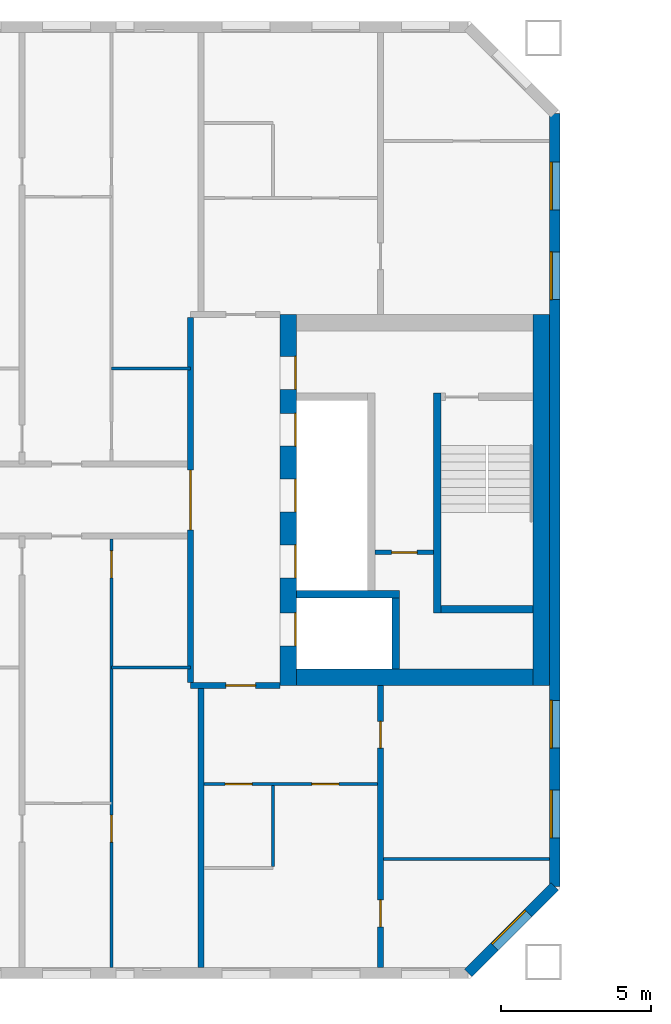
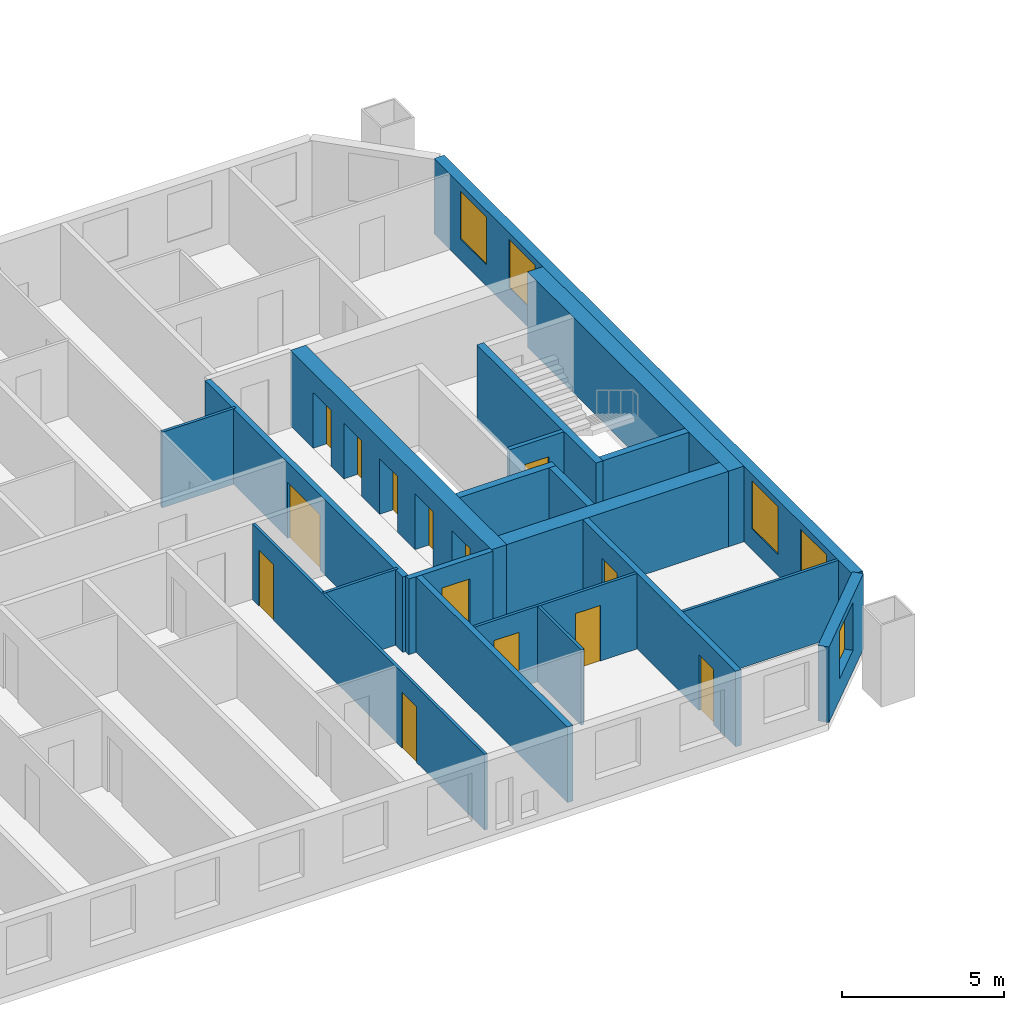
# One storey, part 7 of 16: 20 walls, 14 doors, 5 windows, 19 openings.
"""IFC4 building model written with IfcOpenShell, lengths in metres."""

from ifc_helpers import new_model, si_unit, direction, frame, frame_2d, origin, place, context, subcontext, project, spatial, rectangle, extrude, material, layer, layer_set, type_object, element, fill, save


model = new_model("IFC4")

# Units and contexts
model_context = context("Model", 3, precision=1e-05, world=origin(), true_north=direction((0.0, 1.0)))
body_context = subcontext(model_context, "Body", "Model", "MODEL_VIEW")
ifc_project = project(units=[si_unit("LENGTHUNIT", "METRE"), si_unit("AREAUNIT", "SQUARE_METRE"), si_unit("VOLUMEUNIT", "CUBIC_METRE"), si_unit("PLANEANGLEUNIT", "RADIAN"), si_unit("MASSUNIT", "GRAM", prefix="KILO")], contexts=[model_context])

# Site, building, storey
site_placement = place(None, origin())
site = spatial("IfcSite", under=ifc_project, at=site_placement, CompositionType="ELEMENT")
building_placement = place(site_placement, origin())
building = spatial("IfcBuilding", under=site, at=building_placement, Name="Tuart Gate Housing", CompositionType="ELEMENT")
storey_placement = place(building_placement, frame((0.0, 0.0, 129.89990234375)))
storey = spatial("IfcBuildingStorey", under=building, at=storey_placement, Name="L36", CompositionType="ELEMENT", Elevation=129.89990234375)

# Wall, opening, window
ifc_material_1 = material(Name="Brick", Category="masonry")
ifc_layer_1 = layer(ifc_material_1, 0.360107421875)
ifc_layer_set_1 = layer_set([ifc_layer_1], Name="Brick pier and spandrel wall 360")
wall_type_1 = type_object("IfcWallType", Name="Brick pier and spandrel wall 360", PredefinedType="STANDARD", material=ifc_layer_set_1)
wall_1_placement = place(storey_placement, frame((72.92529296875, 54.179931640625, 0.0), z_axis=(0.0, 0.0, 1.0), x_axis=(0.707106781187, 0.707106781187, 0.0)))
wall_1 = element("IfcWall", 1, at=wall_1_placement, inside=storey, type_object=wall_type_1, Name="External wall A-SE L36", PredefinedType="STANDARD", context=body_context, shape_type="SweptSolid", body=[
    extrude(rectangle(XDim=4.09375, YDim=0.360107421875, at=frame_2d((2.046875, 0.0))), origin(), (0.0, 0.0, 1.0), 2.85009765625),
])
opening_1_placement = place(wall_1_placement, frame((1.2470703125, 0.0, 0.800048828125)))
opening_1 = element("IfcOpeningElement", 2, at=opening_1_placement, cuts=wall_1, Name="Opening W1", PredefinedType="OPENING", context=body_context, shape_type="SweptSolid", body=[
    extrude(rectangle(XDim=1.60009765625, YDim=1.800048828125, at=frame_2d((0.800048828125, 0.89990234375))), frame((0.0, 0.18994140625, 0.0), z_axis=(0.0, -1.0, 0.0), x_axis=(1.0, 0.0, 0.0)), (0.0, 0.0, 1.0), 0.380126953125),
])
ifc_material_2 = material(Name="Aluminium frame with clear glass", Category="aluminium")
window_type = type_object("IfcWindowType", Name="Punched window 1600 x 1800", PartitioningType="SINGLE_PANEL", PredefinedType="WINDOW", material=ifc_material_2)
window_1_placement = place(opening_1_placement, origin())
window_1 = element("IfcWindow", 3, at=window_1_placement, inside=storey, type_object=window_type, Name="Window W1", OverallHeight=1.800048828125, OverallWidth=1.60009765625, PartitioningType="SINGLE_PANEL", PredefinedType="WINDOW", context=body_context, shape_type="SweptSolid", body=[
    extrude(rectangle(XDim=1.60009765625, YDim=1.800048828125, at=frame_2d((0.800048828125, 0.89990234375))), frame((0.0, 0.150146484375, 0.0), z_axis=(0.0, -1.0, 0.0), x_axis=(1.0, 0.0, 0.0)), (0.0, 0.0, 1.0), 0.06005859375),
])
fill(opening_1, window_1)

# Wall, openings, windows
wall_2_placement = place(storey_placement, frame((75.820068359375, 57.07470703125, 0.0), z_axis=(0.0, 0.0, 1.0), x_axis=(0.0, 1.0, 0.0)))
wall_2 = element("IfcWall", 4, at=wall_2_placement, inside=storey, type_object=wall_type_1, Name="External wall A-E L36", PredefinedType="STANDARD", context=body_context, shape_type="SweptSolid", body=[
    extrude(rectangle(XDim=25.850830078125, YDim=0.360107421875, at=frame_2d((12.92529296875, 0.0))), origin(), (0.0, 0.0, 1.0), 2.85009765625),
])
opening_2_placement = place(wall_2_placement, frame((1.62548828125, 0.0, 0.800048828125)))
opening_2 = element("IfcOpeningElement", 5, at=opening_2_placement, cuts=wall_2, Name="Opening W1", PredefinedType="OPENING", context=body_context, shape_type="SweptSolid", body=[
    extrude(rectangle(XDim=1.60009765625, YDim=1.800048828125, at=frame_2d((0.800048828125, 0.89990234375))), frame((0.0, 0.18994140625, 0.0), z_axis=(0.0, -1.0, 0.0), x_axis=(1.0, 0.0, 0.0)), (0.0, 0.0, 1.0), 0.380126953125),
])
opening_3_placement = place(wall_2_placement, frame((4.62548828125, 0.0, 0.800048828125)))
opening_3 = element("IfcOpeningElement", 6, at=opening_3_placement, cuts=wall_2, Name="Opening W1", PredefinedType="OPENING", context=body_context, shape_type="SweptSolid", body=[
    extrude(rectangle(XDim=1.60009765625, YDim=1.800048828125, at=frame_2d((0.800048828125, 0.89990234375))), frame((0.0, 0.18994140625, 0.0), z_axis=(0.0, -1.0, 0.0), x_axis=(1.0, 0.0, 0.0)), (0.0, 0.0, 1.0), 0.380126953125),
])
opening_4_placement = place(wall_2_placement, frame((19.62548828125, 0.0, 0.800048828125)))
opening_4 = element("IfcOpeningElement", 7, at=opening_4_placement, cuts=wall_2, Name="Opening W1", PredefinedType="OPENING", context=body_context, shape_type="SweptSolid", body=[
    extrude(rectangle(XDim=1.60009765625, YDim=1.800048828125, at=frame_2d((0.800048828125, 0.89990234375))), frame((0.0, 0.18994140625, 0.0), z_axis=(0.0, -1.0, 0.0), x_axis=(1.0, 0.0, 0.0)), (0.0, 0.0, 1.0), 0.380126953125),
])
opening_5_placement = place(wall_2_placement, frame((22.62548828125, 0.0, 0.800048828125)))
opening_5 = element("IfcOpeningElement", 8, at=opening_5_placement, cuts=wall_2, Name="Opening W1", PredefinedType="OPENING", context=body_context, shape_type="SweptSolid", body=[
    extrude(rectangle(XDim=1.60009765625, YDim=1.800048828125, at=frame_2d((0.800048828125, 0.89990234375))), frame((0.0, 0.18994140625, 0.0), z_axis=(0.0, -1.0, 0.0), x_axis=(1.0, 0.0, 0.0)), (0.0, 0.0, 1.0), 0.380126953125),
])
window_2_placement = place(opening_2_placement, origin())
window_2 = element("IfcWindow", 9, at=window_2_placement, inside=storey, type_object=window_type, Name="Window W1", OverallHeight=1.800048828125, OverallWidth=1.60009765625, PartitioningType="SINGLE_PANEL", PredefinedType="WINDOW", context=body_context, shape_type="SweptSolid", body=[
    extrude(rectangle(XDim=1.60009765625, YDim=1.800048828125, at=frame_2d((0.800048828125, 0.89990234375))), frame((0.0, 0.150146484375, 0.0), z_axis=(0.0, -1.0, 0.0), x_axis=(1.0, 0.0, 0.0)), (0.0, 0.0, 1.0), 0.06005859375),
])
fill(opening_2, window_2)
window_3_placement = place(opening_3_placement, origin())
window_3 = element("IfcWindow", 10, at=window_3_placement, inside=storey, type_object=window_type, Name="Window W1", OverallHeight=1.800048828125, OverallWidth=1.60009765625, PartitioningType="SINGLE_PANEL", PredefinedType="WINDOW", context=body_context, shape_type="SweptSolid", body=[
    extrude(rectangle(XDim=1.60009765625, YDim=1.800048828125, at=frame_2d((0.800048828125, 0.89990234375))), frame((0.0, 0.150146484375, 0.0), z_axis=(0.0, -1.0, 0.0), x_axis=(1.0, 0.0, 0.0)), (0.0, 0.0, 1.0), 0.06005859375),
])
fill(opening_3, window_3)
window_4_placement = place(opening_4_placement, origin())
window_4 = element("IfcWindow", 11, at=window_4_placement, inside=storey, type_object=window_type, Name="Window W1", OverallHeight=1.800048828125, OverallWidth=1.60009765625, PartitioningType="SINGLE_PANEL", PredefinedType="WINDOW", context=body_context, shape_type="SweptSolid", body=[
    extrude(rectangle(XDim=1.60009765625, YDim=1.800048828125, at=frame_2d((0.800048828125, 0.89990234375))), frame((0.0, 0.150146484375, 0.0), z_axis=(0.0, -1.0, 0.0), x_axis=(1.0, 0.0, 0.0)), (0.0, 0.0, 1.0), 0.06005859375),
])
fill(opening_4, window_4)
window_5_placement = place(opening_5_placement, origin())
window_5 = element("IfcWindow", 12, at=window_5_placement, inside=storey, type_object=window_type, Name="Window W1", OverallHeight=1.800048828125, OverallWidth=1.60009765625, PartitioningType="SINGLE_PANEL", PredefinedType="WINDOW", context=body_context, shape_type="SweptSolid", body=[
    extrude(rectangle(XDim=1.60009765625, YDim=1.800048828125, at=frame_2d((0.800048828125, 0.89990234375))), frame((0.0, 0.150146484375, 0.0), z_axis=(0.0, -1.0, 0.0), x_axis=(1.0, 0.0, 0.0)), (0.0, 0.0, 1.0), 0.06005859375),
])
fill(opening_5, window_5)

# Wall, opening, door
ifc_material_3 = material(Name="Plasterboard partition")
ifc_layer_2 = layer(ifc_material_3, 0.14990234375)
ifc_layer_set_2 = layer_set([ifc_layer_2], Name="Core partition 150")
wall_type_2 = type_object("IfcWallType", Name="Core partition 150", PredefinedType="PARTITIONING", material=ifc_layer_set_2)
wall_3_placement = place(storey_placement, frame((69.81494140625, 68.25, 0.0), z_axis=(0.0, 0.0, 1.0), x_axis=(1.0, 0.0, 0.0)))
wall_3 = element("IfcWall", 13, at=wall_3_placement, inside=storey, type_object=wall_type_2, Name="Core partition AG.3", PredefinedType="PARTITIONING", context=body_context, shape_type="SweptSolid", body=[
    extrude(rectangle(XDim=1.949951171875, YDim=0.14990234375, at=frame_2d((0.97509765625, 0.0))), origin(), (0.0, 0.0, 1.0), 2.85009765625),
])
opening_6_placement = place(wall_3_placement, frame((0.550048828125, 0.0, 0.0)))
opening_6 = element("IfcOpeningElement", 14, at=opening_6_placement, cuts=wall_3, Name="Opening D1327", PredefinedType="OPENING", context=body_context, shape_type="SweptSolid", body=[
    extrude(rectangle(XDim=0.85009765625, YDim=2.10009765625, at=frame_2d((0.425048828125, 1.050048828125))), frame((0.0, 0.0849609375, 0.0), z_axis=(0.0, -1.0, 0.0), x_axis=(1.0, 0.0, 0.0)), (0.0, 0.0, 1.0), 0.169921875),
])
ifc_material_4 = material(Name="Steel fire door", Category="steel")
door_type_1 = type_object("IfcDoorType", Name="Riser door 850 x 2100 RH", OperationType="SINGLE_SWING_RIGHT", PredefinedType="DOOR", material=ifc_material_4)
door_1_placement = place(opening_6_placement, frame((0.85009765625, 0.0, 0.0), z_axis=(0.0, 0.0, 1.0), x_axis=(-1.0, 0.0, 0.0)))
door_1 = element("IfcDoor", 15, at=door_1_placement, inside=storey, type_object=door_type_1, Name="Service room door AG.E1", OperationType="SINGLE_SWING_RIGHT", OverallHeight=2.10009765625, OverallWidth=0.85009765625, PredefinedType="DOOR", context=body_context, shape_type="SweptSolid", body=[
    extrude(rectangle(XDim=0.85009765625, YDim=2.10009765625, at=frame_2d((0.425048828125, 1.050048828125))), frame((0.0, 0.025146484375, 0.0), z_axis=(0.0, -1.0, 0.0), x_axis=(1.0, 0.0, 0.0)), (0.0, 0.0, 1.0), 0.050048828125),
])
fill(opening_6, door_1)

# Walls
ifc_material_5 = material(Name="Concrete C50", Category="concrete")
ifc_layer_3 = layer(ifc_material_5, 0.25)
ifc_layer_set_3 = layer_set([ifc_layer_3], Name="Core wall 250 C50")
wall_type_3 = type_object("IfcWallType", Name="Core wall 250 C50", PredefinedType="SHEAR", material=ifc_layer_set_3)
wall_4_placement = place(storey_placement, frame((72.014892578125, 66.35009765625, 0.0), z_axis=(0.0, 0.0, 1.0), x_axis=(1.0, 0.0, 0.0)))
element("IfcWall", 16, at=wall_4_placement, inside=storey, type_object=wall_type_3, Name="Core wall AG.1", PredefinedType="SHEAR", context=body_context, shape_type="SweptSolid", body=[
    extrude(rectangle(XDim=3.0751953125, YDim=0.25, at=frame_2d((1.53759765625, 0.0))), origin(), (0.0, 0.0, 1.0), 2.85009765625),
])
wall_5_placement = place(storey_placement, frame((67.18994140625, 66.85009765625, 0.0), z_axis=(0.0, 0.0, 1.0), x_axis=(1.0, 0.0, 0.0)))
element("IfcWall", 17, at=wall_5_placement, inside=storey, type_object=wall_type_3, Name="Core wall AG.2", PredefinedType="SHEAR", context=body_context, shape_type="SweptSolid", body=[
    extrude(rectangle(XDim=3.445068359375, YDim=0.25, at=frame_2d((1.72265625, 0.0))), origin(), (0.0, 0.0, 1.0), 2.85009765625),
])
wall_6_placement = place(storey_placement, frame((70.510009765625, 64.35009765625, 0.0), z_axis=(0.0, 0.0, 1.0), x_axis=(0.0, 1.0, 0.0)))
element("IfcWall", 18, at=wall_6_placement, inside=storey, type_object=wall_type_3, Name="Core wall AG.7", PredefinedType="SHEAR", context=body_context, shape_type="SweptSolid", body=[
    extrude(rectangle(XDim=2.375, YDim=0.25, at=frame_2d((1.1875, 0.0))), origin(), (0.0, 0.0, 1.0), 2.85009765625),
])
wall_7_placement = place(storey_placement, frame((71.889892578125, 66.22509765625, 0.0), z_axis=(0.0, 0.0, 1.0), x_axis=(0.0, 1.0, 0.0)))
element("IfcWall", 19, at=wall_7_placement, inside=storey, type_object=wall_type_3, Name="Core wall AG.8", PredefinedType="SHEAR", context=body_context, shape_type="SweptSolid", body=[
    extrude(rectangle(XDim=7.349853515625, YDim=0.25, at=frame_2d((3.6748046875, 0.0))), origin(), (0.0, 0.0, 1.0), 2.85009765625),
])

# Wall, openings, doors
ifc_material_6 = material(Name="Concrete C50", Category="concrete")
ifc_layer_4 = layer(ifc_material_6, 0.550048828125)
ifc_layer_set_4 = layer_set([ifc_layer_4], Name="Core wall 550 C50")
wall_type_4 = type_object("IfcWallType", Name="Core wall 550 C50", PredefinedType="SHEAR", material=ifc_layer_set_4)
wall_8_placement = place(storey_placement, frame((66.9150390625, 63.800048828125, 0.0), z_axis=(0.0, 0.0, 1.0), x_axis=(0.0, 1.0, 0.0)))
wall_8 = element("IfcWall", 20, at=wall_8_placement, inside=storey, type_object=wall_type_4, Name="Core wall AG front", PredefinedType="SHEAR", context=body_context, shape_type="SweptSolid", body=[
    extrude(rectangle(XDim=12.39990234375, YDim=0.550048828125, at=frame_2d((6.199951171875, 0.0))), origin(), (0.0, 0.0, 1.0), 2.85009765625),
])
opening_7_placement = place(wall_8_placement, frame((1.324951171875, 0.0, 0.0)))
opening_7 = element("IfcOpeningElement", 21, at=opening_7_placement, cuts=wall_8, Name="Opening LD-FA1", PredefinedType="OPENING", context=body_context, shape_type="SweptSolid", body=[
    extrude(rectangle(XDim=1.10009765625, YDim=2.10009765625, at=frame_2d((0.550048828125, 1.050048828125))), frame((0.0, 0.284912109375, 0.0), z_axis=(0.0, -1.0, 0.0), x_axis=(1.0, 0.0, 0.0)), (0.0, 0.0, 1.0), 0.570068359375),
])
opening_8_placement = place(wall_8_placement, frame((3.60009765625, 0.0, 0.0)))
opening_8 = element("IfcOpeningElement", 22, at=opening_8_placement, cuts=wall_8, Name="Opening LD-LA1", PredefinedType="OPENING", context=body_context, shape_type="SweptSolid", body=[
    extrude(rectangle(XDim=1.10009765625, YDim=2.10009765625, at=frame_2d((0.550048828125, 1.050048828125))), frame((0.0, 0.284912109375, 0.0), z_axis=(0.0, -1.0, 0.0), x_axis=(1.0, 0.0, 0.0)), (0.0, 0.0, 1.0), 0.570068359375),
])
opening_9_placement = place(wall_8_placement, frame((5.800048828125, 0.0, 0.0)))
opening_9 = element("IfcOpeningElement", 23, at=opening_9_placement, cuts=wall_8, Name="Opening LD-LA2", PredefinedType="OPENING", context=body_context, shape_type="SweptSolid", body=[
    extrude(rectangle(XDim=1.10009765625, YDim=2.10009765625, at=frame_2d((0.550048828125, 1.050048828125))), frame((0.0, 0.284912109375, 0.0), z_axis=(0.0, -1.0, 0.0), x_axis=(1.0, 0.0, 0.0)), (0.0, 0.0, 1.0), 0.570068359375),
])
opening_10_placement = place(wall_8_placement, frame((8.0, 0.0, 0.0)))
opening_10 = element("IfcOpeningElement", 24, at=opening_10_placement, cuts=wall_8, Name="Opening LD-LA3", PredefinedType="OPENING", context=body_context, shape_type="SweptSolid", body=[
    extrude(rectangle(XDim=1.10009765625, YDim=2.10009765625, at=frame_2d((0.550048828125, 1.050048828125))), frame((0.0, 0.284912109375, 0.0), z_axis=(0.0, -1.0, 0.0), x_axis=(1.0, 0.0, 0.0)), (0.0, 0.0, 1.0), 0.570068359375),
])
opening_11_placement = place(wall_8_placement, frame((9.89990234375, 0.0, 0.0)))
opening_11 = element("IfcOpeningElement", 25, at=opening_11_placement, cuts=wall_8, Name="Opening D1324", PredefinedType="OPENING", context=body_context, shape_type="SweptSolid", body=[
    extrude(rectangle(XDim=1.10009765625, YDim=2.10009765625, at=frame_2d((0.550048828125, 1.050048828125))), frame((0.0, 0.284912109375, 0.0), z_axis=(0.0, -1.0, 0.0), x_axis=(1.0, 0.0, 0.0)), (0.0, 0.0, 1.0), 0.570068359375),
])
ifc_material_7 = material(Name="Stainless steel", Category="steel")
door_type_2 = type_object("IfcDoorType", Name="Landing door 1100 x 2100", OperationType="DOUBLE_DOOR_SLIDING", PredefinedType="DOOR", material=ifc_material_7)
door_2_placement = place(opening_7_placement, origin())
door_2 = element("IfcDoor", 26, at=door_2_placement, inside=storey, type_object=door_type_2, Name="Lift landing door FA1", OperationType="DOUBLE_DOOR_SLIDING", OverallHeight=2.10009765625, OverallWidth=1.10009765625, PredefinedType="DOOR", context=body_context, shape_type="SweptSolid", body=[
    extrude(rectangle(XDim=1.10009765625, YDim=2.10009765625, at=frame_2d((0.550048828125, 1.050048828125))), frame((0.0, -0.2099609375, 0.0), z_axis=(0.0, -1.0, 0.0), x_axis=(1.0, 0.0, 0.0)), (0.0, 0.0, 1.0), 0.050048828125),
])
fill(opening_7, door_2)
door_3_placement = place(opening_8_placement, origin())
door_3 = element("IfcDoor", 27, at=door_3_placement, inside=storey, type_object=door_type_2, Name="Lift landing door LA1", OperationType="DOUBLE_DOOR_SLIDING", OverallHeight=2.10009765625, OverallWidth=1.10009765625, PredefinedType="DOOR", context=body_context, shape_type="SweptSolid", body=[
    extrude(rectangle(XDim=1.10009765625, YDim=2.10009765625, at=frame_2d((0.550048828125, 1.050048828125))), frame((0.0, -0.2099609375, 0.0), z_axis=(0.0, -1.0, 0.0), x_axis=(1.0, 0.0, 0.0)), (0.0, 0.0, 1.0), 0.050048828125),
])
fill(opening_8, door_3)
door_4_placement = place(opening_9_placement, origin())
door_4 = element("IfcDoor", 28, at=door_4_placement, inside=storey, type_object=door_type_2, Name="Lift landing door LA2", OperationType="DOUBLE_DOOR_SLIDING", OverallHeight=2.10009765625, OverallWidth=1.10009765625, PredefinedType="DOOR", context=body_context, shape_type="SweptSolid", body=[
    extrude(rectangle(XDim=1.10009765625, YDim=2.10009765625, at=frame_2d((0.550048828125, 1.050048828125))), frame((0.0, -0.2099609375, 0.0), z_axis=(0.0, -1.0, 0.0), x_axis=(1.0, 0.0, 0.0)), (0.0, 0.0, 1.0), 0.050048828125),
])
fill(opening_9, door_4)
door_5_placement = place(opening_10_placement, origin())
door_5 = element("IfcDoor", 29, at=door_5_placement, inside=storey, type_object=door_type_2, Name="Lift landing door LA3", OperationType="DOUBLE_DOOR_SLIDING", OverallHeight=2.10009765625, OverallWidth=1.10009765625, PredefinedType="DOOR", context=body_context, shape_type="SweptSolid", body=[
    extrude(rectangle(XDim=1.10009765625, YDim=2.10009765625, at=frame_2d((0.550048828125, 1.050048828125))), frame((0.0, -0.2099609375, 0.0), z_axis=(0.0, -1.0, 0.0), x_axis=(1.0, 0.0, 0.0)), (0.0, 0.0, 1.0), 0.050048828125),
])
fill(opening_10, door_5)
ifc_material_8 = material(Name="Steel fire door", Category="steel")
door_type_3 = type_object("IfcDoorType", Name="Lobby door 1100 x 2100 RH", OperationType="SINGLE_SWING_RIGHT", PredefinedType="DOOR", material=ifc_material_8)
door_6_placement = place(opening_11_placement, frame((1.10009765625, 0.0, 0.0), z_axis=(0.0, 0.0, 1.0), x_axis=(-1.0, 0.0, 0.0)))
door_6 = element("IfcDoor", 30, at=door_6_placement, inside=storey, type_object=door_type_3, Name="Lobby entry door AG.EN", OperationType="SINGLE_SWING_RIGHT", OverallHeight=2.10009765625, OverallWidth=1.10009765625, PredefinedType="DOOR", context=body_context, shape_type="SweptSolid", body=[
    extrude(rectangle(XDim=1.10009765625, YDim=2.10009765625, at=frame_2d((0.550048828125, 1.050048828125))), frame((0.0, 0.260009765625, 0.0), z_axis=(0.0, -1.0, 0.0), x_axis=(1.0, 0.0, 0.0)), (0.0, 0.0, 1.0), 0.050048828125),
])
fill(opening_11, door_6)

# Walls
wall_9_placement = place(storey_placement, frame((75.364990234375, 63.800048828125, 0.0), z_axis=(0.0, 0.0, 1.0), x_axis=(0.0, 1.0, 0.0)))
element("IfcWall", 31, at=wall_9_placement, inside=storey, type_object=wall_type_4, Name="Core wall AG back", PredefinedType="SHEAR", context=body_context, shape_type="SweptSolid", body=[
    extrude(rectangle(XDim=12.39990234375, YDim=0.550048828125, at=frame_2d((6.199951171875, 0.0))), origin(), (0.0, 0.0, 1.0), 2.85009765625),
])
wall_10_placement = place(storey_placement, frame((67.18994140625, 64.074951171875, 0.0), z_axis=(0.0, 0.0, 1.0), x_axis=(1.0, 0.0, 0.0)))
element("IfcWall", 32, at=wall_10_placement, inside=storey, type_object=wall_type_4, Name="Core wall AG south", PredefinedType="SHEAR", context=body_context, shape_type="SweptSolid", body=[
    extrude(rectangle(XDim=7.900146484375, YDim=0.550048828125, at=frame_2d((3.9501953125, 0.0))), origin(), (0.0, 0.0, 1.0), 2.85009765625),
])

# Wall, opening, door
ifc_material_9 = material(Name="Concrete masonry 15 MPa", Category="masonry")
ifc_layer_5 = layer(ifc_material_9, 0.199951171875)
ifc_layer_set_5 = layer_set([ifc_layer_5], Name="Enclosure wall masonry 200")
wall_type_5 = type_object("IfcWallType", Name="Enclosure wall masonry 200", PredefinedType="PARTITIONING", material=ifc_layer_set_5)
wall_11_placement = place(storey_placement, frame((63.639892578125, 63.800048828125, 0.0), z_axis=(0.0, 0.0, 1.0), x_axis=(1.0, 0.0, 0.0)))
wall_11 = element("IfcWall", 33, at=wall_11_placement, inside=storey, type_object=wall_type_5, Name="Enclosure wall masonry 200", PredefinedType="PARTITIONING", context=body_context, shape_type="SweptSolid", body=[
    extrude(rectangle(XDim=3.0, YDim=0.199951171875, at=frame_2d((1.5, 0.0))), origin(), (0.0, 0.0, 1.0), 2.85009765625),
])
opening_12_placement = place(wall_11_placement, frame((1.179931640625, 0.0, 0.0)))
opening_12 = element("IfcOpeningElement", 34, at=opening_12_placement, cuts=wall_11, Name="Opening D1330", PredefinedType="OPENING", context=body_context, shape_type="SweptSolid", body=[
    extrude(rectangle(XDim=1.0, YDim=2.10009765625, at=frame_2d((0.5, 1.050048828125))), frame((0.0, 0.10986328125, 0.0), z_axis=(0.0, -1.0, 0.0), x_axis=(1.0, 0.0, 0.0)), (0.0, 0.0, 1.0), 0.219970703125),
])
ifc_material_10 = material(Name="Timber door leaf in steel frame", Category="steel")
door_type_4 = type_object("IfcDoorType", Name="Flat entrance door 1000 RH", OperationType="SINGLE_SWING_RIGHT", PredefinedType="DOOR", material=ifc_material_10)
door_7_placement = place(opening_12_placement, frame((1.0, 0.0, 0.0), z_axis=(0.0, 0.0, 1.0), x_axis=(-1.0, 0.0, 0.0)))
door_7 = element("IfcDoor", 35, at=door_7_placement, inside=storey, type_object=door_type_4, Name="Flat entrance door", OperationType="SINGLE_SWING_RIGHT", OverallHeight=2.10009765625, OverallWidth=1.0, PredefinedType="DOOR", context=body_context, shape_type="SweptSolid", body=[
    extrude(rectangle(XDim=1.0, YDim=2.10009765625, at=frame_2d((0.5, 1.050048828125))), frame((0.0, 0.025146484375, 0.0), z_axis=(0.0, -1.0, 0.0), x_axis=(1.0, 0.0, 0.0)), (0.0, 0.0, 1.0), 0.050048828125),
])
fill(opening_12, door_7)

ifc_material_11 = material(Name="Plasterboard partition")
ifc_layer_6 = layer(ifc_material_11, 0.199951171875)
ifc_layer_set_6 = layer_set([ifc_layer_6], Name="Lobby wall 200")
wall_type_6 = type_object("IfcWallType", Name="Lobby wall 200", PredefinedType="PARTITIONING", material=ifc_layer_set_6)
wall_12_placement = place(storey_placement, frame((63.639892578125, 63.89990234375, 0.0), z_axis=(0.0, 0.0, 1.0), x_axis=(0.0, 1.0, 0.0)))
wall_12 = element("IfcWall", 36, at=wall_12_placement, inside=storey, type_object=wall_type_6, Name="Lift lobby wall AG", PredefinedType="PARTITIONING", context=body_context, shape_type="SweptSolid", body=[
    extrude(rectangle(XDim=12.2001953125, YDim=0.199951171875, at=frame_2d((6.10009765625, 0.0))), origin(), (0.0, 0.0, 1.0), 2.85009765625),
])
opening_13_placement = place(wall_12_placement, frame((5.10009765625, 0.0, 0.0)))
opening_13 = element("IfcOpeningElement", 37, at=opening_13_placement, cuts=wall_12, Name="Opening D1323", PredefinedType="OPENING", context=body_context, shape_type="SweptSolid", body=[
    extrude(rectangle(XDim=2.0, YDim=2.10009765625, at=frame_2d((1.0, 1.050048828125))), frame((0.0, 0.10986328125, 0.0), z_axis=(0.0, -1.0, 0.0), x_axis=(1.0, 0.0, 0.0)), (0.0, 0.0, 1.0), 0.219970703125),
])
ifc_material_12 = material(Name="Steel fire door", Category="steel")
door_type_5 = type_object("IfcDoorType", Name="Smoke door 2000 x 2100", OperationType="DOUBLE_DOOR_SINGLE_SWING", PredefinedType="DOOR", material=ifc_material_12)
door_8_placement = place(opening_13_placement, frame((2.0, 0.0, 0.0), z_axis=(0.0, 0.0, 1.0), x_axis=(-1.0, 0.0, 0.0)))
door_8 = element("IfcDoor", 38, at=door_8_placement, inside=storey, type_object=door_type_5, Name="Lift lobby smoke door AG", OperationType="DOUBLE_DOOR_SINGLE_SWING", OverallHeight=2.10009765625, OverallWidth=2.0, PredefinedType="DOOR", context=body_context, shape_type="SweptSolid", body=[
    extrude(rectangle(XDim=2.0, YDim=2.10009765625, at=frame_2d((1.0, 1.050048828125))), frame((0.0, 0.025146484375, 0.0), z_axis=(0.0, -1.0, 0.0), x_axis=(1.0, 0.0, 0.0)), (0.0, 0.0, 1.0), 0.050048828125),
])
fill(opening_13, door_8)

# Wall
ifc_material_13 = material(Name="Gypsum board on steel studs", Category="steel")
ifc_layer_7 = layer(ifc_material_13, 0.10009765625)
ifc_layer_set_7 = layer_set([ifc_layer_7], Name="Partition 100")
wall_type_7 = type_object("IfcWallType", Name="Partition 100", PredefinedType="PARTITIONING", material=ifc_layer_set_7)
wall_13_placement = place(storey_placement, frame((70.10009765625, 58.0, 0.0), z_axis=(0.0, 0.0, 1.0), x_axis=(1.0, 0.0, 0.0)))
element("IfcWall", 39, at=wall_13_placement, inside=storey, type_object=wall_type_7, Name="Partition 100", PredefinedType="PARTITIONING", context=body_context, shape_type="SweptSolid", body=[
    extrude(rectangle(XDim=5.539794921875, YDim=0.10009765625, at=frame_2d((2.77001953125, 0.0))), origin(), (0.0, 0.0, 1.0), 2.85009765625),
])

# Wall, openings, doors
wall_14_placement = place(storey_placement, frame((64.10009765625, 60.5, 0.0), z_axis=(0.0, 0.0, 1.0), x_axis=(1.0, 0.0, 0.0)))
wall_14 = element("IfcWall", 40, at=wall_14_placement, inside=storey, type_object=wall_type_7, Name="Partition 100", PredefinedType="PARTITIONING", context=body_context, shape_type="SweptSolid", body=[
    extrude(rectangle(XDim=5.7998046875, YDim=0.10009765625, at=frame_2d((2.89990234375, 0.0))), origin(), (0.0, 0.0, 1.0), 2.85009765625),
])
opening_14_placement = place(wall_14_placement, frame((3.60009765625, 0.0, 0.0)))
opening_14 = element("IfcOpeningElement", 41, at=opening_14_placement, cuts=wall_14, Name="Opening D1344", PredefinedType="OPENING", context=body_context, shape_type="SweptSolid", body=[
    extrude(rectangle(XDim=0.89990234375, YDim=2.10009765625, at=frame_2d((0.449951171875, 1.050048828125))), frame((0.0, 0.06005859375, 0.0), z_axis=(0.0, -1.0, 0.0), x_axis=(1.0, 0.0, 0.0)), (0.0, 0.0, 1.0), 0.1201171875),
])
opening_15_placement = place(wall_14_placement, frame((0.699951171875, 0.0, 0.0)))
opening_15 = element("IfcOpeningElement", 42, at=opening_15_placement, cuts=wall_14, Name="Opening D1343", PredefinedType="OPENING", context=body_context, shape_type="SweptSolid", body=[
    extrude(rectangle(XDim=0.89990234375, YDim=2.10009765625, at=frame_2d((0.449951171875, 1.050048828125))), frame((0.0, 0.06005859375, 0.0), z_axis=(0.0, -1.0, 0.0), x_axis=(1.0, 0.0, 0.0)), (0.0, 0.0, 1.0), 0.1201171875),
])
ifc_material_14 = material(Name="Timber door leaf in steel frame", Category="steel")
door_type_6 = type_object("IfcDoorType", Name="Bathroom door 900", OperationType="SINGLE_SWING_LEFT", PredefinedType="DOOR", material=ifc_material_14)
door_9_placement = place(opening_15_placement, frame((0.89990234375, 0.0, 0.0), z_axis=(0.0, 0.0, 1.0), x_axis=(-1.0, 0.0, 0.0)))
door_9 = element("IfcDoor", 43, at=door_9_placement, inside=storey, type_object=door_type_6, Name="Bathroom door", OperationType="SINGLE_SWING_LEFT", OverallHeight=2.10009765625, OverallWidth=0.89990234375, PredefinedType="DOOR", context=body_context, shape_type="SweptSolid", body=[
    extrude(rectangle(XDim=0.89990234375, YDim=2.10009765625, at=frame_2d((0.449951171875, 1.050048828125))), frame((0.0, 0.025146484375, 0.0), z_axis=(0.0, -1.0, 0.0), x_axis=(1.0, 0.0, 0.0)), (0.0, 0.0, 1.0), 0.050048828125),
])
fill(opening_15, door_9)
ifc_material_15 = material(Name="Timber door leaf in steel frame", Category="steel")
door_type_7 = type_object("IfcDoorType", Name="Internal door 900 RH", OperationType="SINGLE_SWING_RIGHT", PredefinedType="DOOR", material=ifc_material_15)
door_10_placement = place(opening_14_placement, origin())
door_10 = element("IfcDoor", 44, at=door_10_placement, inside=storey, type_object=door_type_7, Name="Internal door", OperationType="SINGLE_SWING_RIGHT", OverallHeight=2.10009765625, OverallWidth=0.89990234375, PredefinedType="DOOR", context=body_context, shape_type="SweptSolid", body=[
    extrude(rectangle(XDim=0.89990234375, YDim=2.10009765625, at=frame_2d((0.449951171875, 1.050048828125))), frame((0.0, 0.02490234375, 0.0), z_axis=(0.0, -1.0, 0.0), x_axis=(1.0, 0.0, 0.0)), (0.0, 0.0, 1.0), 0.050048828125),
])
fill(opening_14, door_10)

# Walls
for number, where, z_axis, x_axis, name in (
    (45, (61.0, 64.39990234375, 0.0), (0.0, 0.0, 1.0), (1.0, 0.0, 0.0), "Partition 100"),
    (46, (61.0, 74.39990234375, 0.0), (0.0, 0.0, 1.0), (1.0, 0.0, 0.0), "Partition 100"),
):
    element("IfcWall", number, at=place(storey_placement, frame(where, z_axis=z_axis, x_axis=x_axis)), inside=storey, type_object=wall_type_7, Name=name, PredefinedType="PARTITIONING", context=body_context, shape_type="SweptSolid", body=[
        extrude(rectangle(XDim=2.639892578125, YDim=0.10009765625, at=frame_2d((1.31982421875, 0.0))), origin(), (0.0, 0.0, 1.0), 2.85009765625),
    ])

# Wall, openings, doors
wall_15_placement = place(storey_placement, frame((61.0, 54.360107421875, 0.0), z_axis=(0.0, 0.0, 1.0), x_axis=(0.0, 1.0, 0.0)))
wall_15 = element("IfcWall", 47, at=wall_15_placement, inside=storey, type_object=wall_type_7, Name="Partition 100", PredefinedType="PARTITIONING", context=body_context, shape_type="SweptSolid", body=[
    extrude(rectangle(XDim=14.33984375, YDim=0.10009765625, at=frame_2d((7.169921875, 0.0))), origin(), (0.0, 0.0, 1.0), 2.85009765625),
])
opening_16_placement = place(wall_15_placement, frame((4.199951171875, 0.0, 0.0)))
opening_16 = element("IfcOpeningElement", 48, at=opening_16_placement, cuts=wall_15, Name="Opening D1339", PredefinedType="OPENING", context=body_context, shape_type="SweptSolid", body=[
    extrude(rectangle(XDim=0.89990234375, YDim=2.10009765625, at=frame_2d((0.449951171875, 1.050048828125))), frame((0.0, 0.06005859375, 0.0), z_axis=(0.0, -1.0, 0.0), x_axis=(1.0, 0.0, 0.0)), (0.0, 0.0, 1.0), 0.1201171875),
])
opening_17_placement = place(wall_15_placement, frame((13.0400390625, 0.0, 0.0)))
opening_17 = element("IfcOpeningElement", 49, at=opening_17_placement, cuts=wall_15, Name="Opening D1338", PredefinedType="OPENING", context=body_context, shape_type="SweptSolid", body=[
    extrude(rectangle(XDim=0.89990234375, YDim=2.10009765625, at=frame_2d((0.449951171875, 1.050048828125))), frame((0.0, 0.06005859375, 0.0), z_axis=(0.0, -1.0, 0.0), x_axis=(1.0, 0.0, 0.0)), (0.0, 0.0, 1.0), 0.1201171875),
])
door_11_placement = place(opening_17_placement, frame((0.89990234375, 0.0, 0.0), z_axis=(0.0, 0.0, 1.0), x_axis=(-1.0, 0.0, 0.0)))
door_11 = element("IfcDoor", 50, at=door_11_placement, inside=storey, type_object=door_type_6, Name="Bathroom door", OperationType="SINGLE_SWING_LEFT", OverallHeight=2.10009765625, OverallWidth=0.89990234375, PredefinedType="DOOR", context=body_context, shape_type="SweptSolid", body=[
    extrude(rectangle(XDim=0.89990234375, YDim=2.10009765625, at=frame_2d((0.449951171875, 1.050048828125))), frame((0.0, 0.025146484375, 0.0), z_axis=(0.0, -1.0, 0.0), x_axis=(1.0, 0.0, 0.0)), (0.0, 0.0, 1.0), 0.050048828125),
])
fill(opening_17, door_11)
door_12_placement = place(opening_16_placement, frame((0.89990234375, 0.0, 0.0), z_axis=(0.0, 0.0, 1.0), x_axis=(-1.0, 0.0, 0.0)))
door_12 = element("IfcDoor", 51, at=door_12_placement, inside=storey, type_object=door_type_7, Name="Internal door", OperationType="SINGLE_SWING_RIGHT", OverallHeight=2.10009765625, OverallWidth=0.89990234375, PredefinedType="DOOR", context=body_context, shape_type="SweptSolid", body=[
    extrude(rectangle(XDim=0.89990234375, YDim=2.10009765625, at=frame_2d((0.449951171875, 1.050048828125))), frame((0.0, 0.025146484375, 0.0), z_axis=(0.0, -1.0, 0.0), x_axis=(1.0, 0.0, 0.0)), (0.0, 0.0, 1.0), 0.050048828125),
])
fill(opening_16, door_12)

# Walls
wall_16_placement = place(storey_placement, frame((66.39990234375, 57.75, 0.0), z_axis=(0.0, 0.0, 1.0), x_axis=(0.0, 1.0, 0.0)))
element("IfcWall", 52, at=wall_16_placement, inside=storey, type_object=wall_type_7, Name="Partition 100", PredefinedType="PARTITIONING", context=body_context, shape_type="SweptSolid", body=[
    extrude(rectangle(XDim=2.699951171875, YDim=0.10009765625, at=frame_2d((1.35009765625, 0.0))), origin(), (0.0, 0.0, 1.0), 2.85009765625),
])
ifc_material_16 = material(Name="Concrete C40", Category="concrete")
ifc_layer_8 = layer(ifc_material_16, 0.199951171875)
ifc_layer_set_8 = layer_set([ifc_layer_8], Name="Party wall concrete C40 200")
wall_type_8 = type_object("IfcWallType", Name="Party wall concrete C40 200", PredefinedType="SOLIDWALL", material=ifc_layer_set_8)
wall_17_placement = place(storey_placement, frame((64.0, 54.360107421875, 0.0), z_axis=(0.0, 0.0, 1.0), x_axis=(0.0, 1.0, 0.0)))
element("IfcWall", 53, at=wall_17_placement, inside=storey, type_object=wall_type_8, Name="Party wall concrete C40 200", PredefinedType="SOLIDWALL", context=body_context, shape_type="SweptSolid", body=[
    extrude(rectangle(XDim=9.43994140625, YDim=0.199951171875, at=frame_2d((4.719970703125, 0.0))), origin(), (0.0, 0.0, 1.0), 2.85009765625),
])

# Wall, openings, doors
wall_18_placement = place(storey_placement, frame((70.0, 54.360107421875, 0.0), z_axis=(0.0, 0.0, 1.0), x_axis=(0.0, 1.0, 0.0)))
wall_18 = element("IfcWall", 54, at=wall_18_placement, inside=storey, type_object=wall_type_8, Name="Party wall concrete C40 200", PredefinedType="SOLIDWALL", context=body_context, shape_type="SweptSolid", body=[
    extrude(rectangle(XDim=9.43994140625, YDim=0.199951171875, at=frame_2d((4.719970703125, 0.0))), origin(), (0.0, 0.0, 1.0), 2.85009765625),
])
opening_18_placement = place(wall_18_placement, frame((1.3701171875, 0.0, 0.0)))
opening_18 = element("IfcOpeningElement", 55, at=opening_18_placement, cuts=wall_18, Name="Opening D1349", PredefinedType="OPENING", context=body_context, shape_type="SweptSolid", body=[
    extrude(rectangle(XDim=0.89990234375, YDim=2.10009765625, at=frame_2d((0.449951171875, 1.050048828125))), frame((0.0, 0.10986328125, 0.0), z_axis=(0.0, -1.0, 0.0), x_axis=(1.0, 0.0, 0.0)), (0.0, 0.0, 1.0), 0.219970703125),
])
opening_19_placement = place(wall_18_placement, frame((7.340087890625, 0.0, 0.0)))
opening_19 = element("IfcOpeningElement", 56, at=opening_19_placement, cuts=wall_18, Name="Opening D1350", PredefinedType="OPENING", context=body_context, shape_type="SweptSolid", body=[
    extrude(rectangle(XDim=0.89990234375, YDim=2.10009765625, at=frame_2d((0.449951171875, 1.050048828125))), frame((0.0, 0.10986328125, 0.0), z_axis=(0.0, -1.0, 0.0), x_axis=(1.0, 0.0, 0.0)), (0.0, 0.0, 1.0), 0.219970703125),
])
ifc_material_17 = material(Name="Timber door leaf in steel frame", Category="steel")
door_type_8 = type_object("IfcDoorType", Name="Internal door 900", OperationType="SINGLE_SWING_LEFT", PredefinedType="DOOR", material=ifc_material_17)
door_13_placement = place(opening_19_placement, frame((0.89990234375, 0.0, 0.0), z_axis=(0.0, 0.0, 1.0), x_axis=(-1.0, 0.0, 0.0)))
door_13 = element("IfcDoor", 57, at=door_13_placement, inside=storey, type_object=door_type_8, Name="Internal door", OperationType="SINGLE_SWING_LEFT", OverallHeight=2.10009765625, OverallWidth=0.89990234375, PredefinedType="DOOR", context=body_context, shape_type="SweptSolid", body=[
    extrude(rectangle(XDim=0.89990234375, YDim=2.10009765625, at=frame_2d((0.449951171875, 1.050048828125))), frame((0.0, 0.025146484375, 0.0), z_axis=(0.0, -1.0, 0.0), x_axis=(1.0, 0.0, 0.0)), (0.0, 0.0, 1.0), 0.050048828125),
])
fill(opening_19, door_13)
door_14_placement = place(opening_18_placement, frame((0.89990234375, 0.0, 0.0), z_axis=(0.0, 0.0, 1.0), x_axis=(-1.0, 0.0, 0.0)))
door_14 = element("IfcDoor", 58, at=door_14_placement, inside=storey, type_object=door_type_7, Name="Internal door", OperationType="SINGLE_SWING_RIGHT", OverallHeight=2.10009765625, OverallWidth=0.89990234375, PredefinedType="DOOR", context=body_context, shape_type="SweptSolid", body=[
    extrude(rectangle(XDim=0.89990234375, YDim=2.10009765625, at=frame_2d((0.449951171875, 1.050048828125))), frame((0.0, 0.025146484375, 0.0), z_axis=(0.0, -1.0, 0.0), x_axis=(1.0, 0.0, 0.0)), (0.0, 0.0, 1.0), 0.050048828125),
])
fill(opening_18, door_14)

save(model, "model.ifc")
